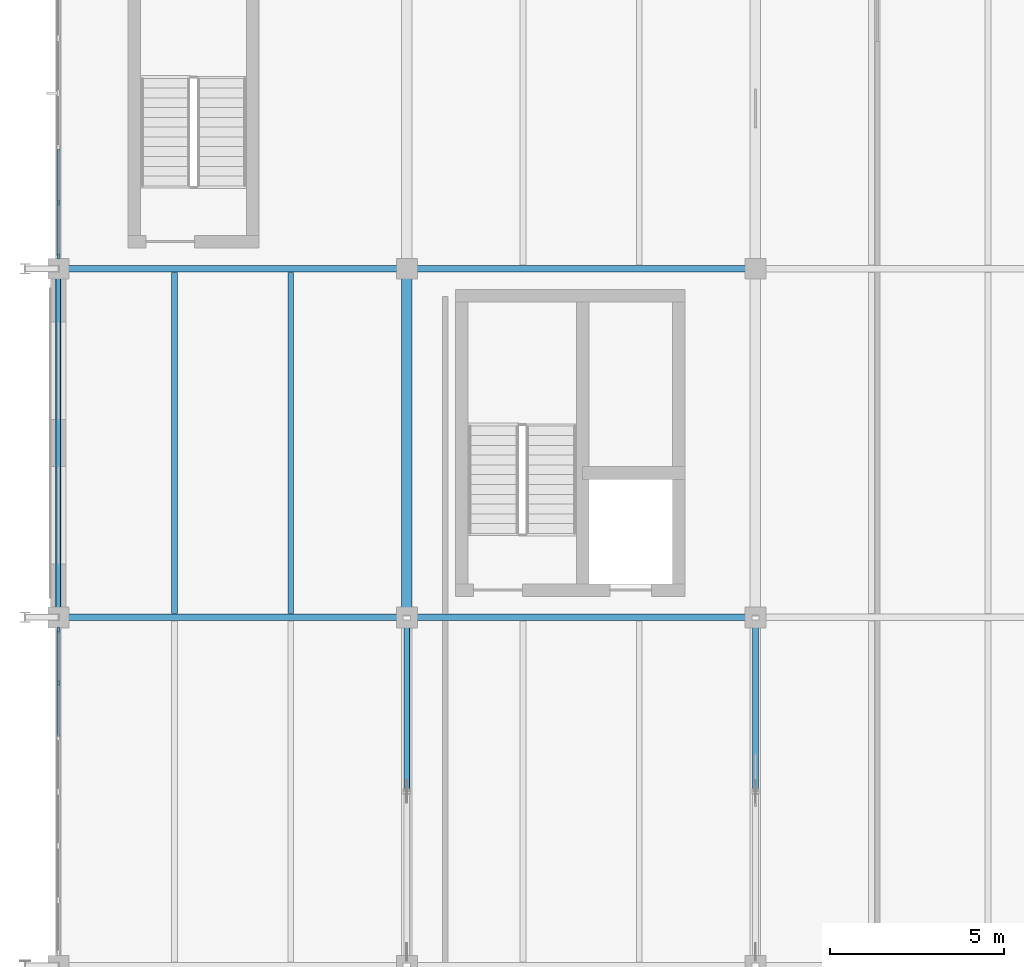
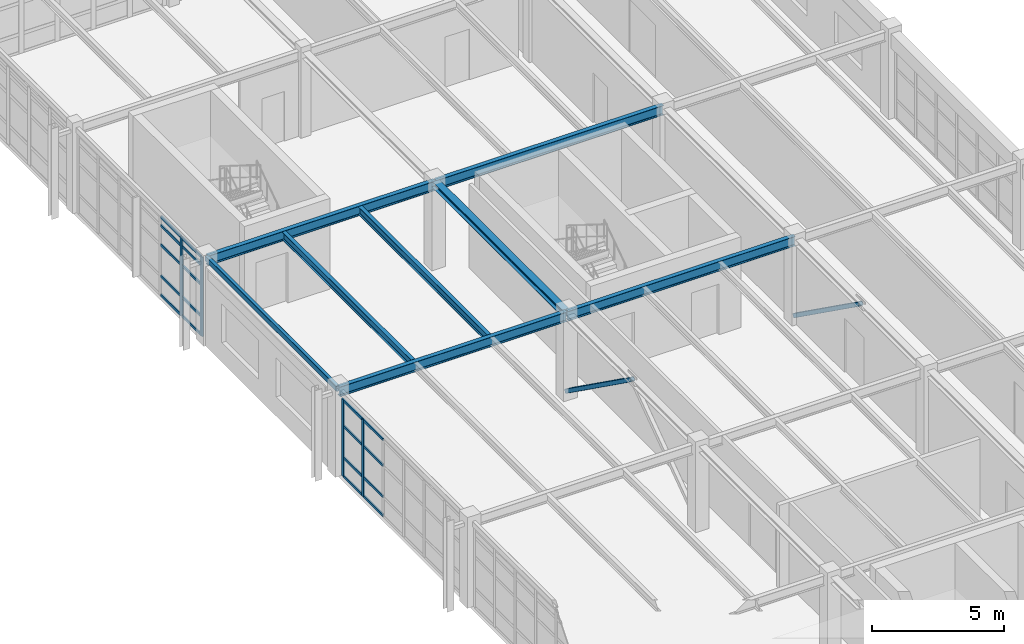
# One storey, part 31 of 122: 24 members, 8 beams, 2 elements without a shape of their own.
"""IFC4 building model written with IfcOpenShell, lengths in metres."""

from ifc_helpers import new_model, si_unit, direction, frame, origin, origin_2d, place, context, subcontext, project, spatial, rectangle, hollow_rectangle, i_section, extrude, material, layer, layer_set, material_profile, profile_set, type_object, element, aggregate, save


model = new_model("IFC4")

# Units and contexts
model_context = context("Model", 3, precision=1e-05, world=origin(), true_north=direction((0.0, 1.0)))
body_context = subcontext(model_context, "Body", "Model", "MODEL_VIEW")
ifc_project = project(units=[si_unit("LENGTHUNIT", "METRE"), si_unit("AREAUNIT", "SQUARE_METRE"), si_unit("VOLUMEUNIT", "CUBIC_METRE"), si_unit("PLANEANGLEUNIT", "RADIAN"), si_unit("MASSUNIT", "GRAM", prefix="KILO"), si_unit("THERMODYNAMICTEMPERATUREUNIT", "KELVIN"), si_unit("POWERUNIT", "WATT")], contexts=[model_context])

# Site, building, storey
site_placement = place(None, origin())
site = spatial("IfcSite", under=ifc_project, at=site_placement, CompositionType="ELEMENT")
building_placement = place(site_placement, origin())
building = spatial("IfcBuilding", under=site, at=building_placement, Name="Korenveer Ferry Terminal", CompositionType="ELEMENT")
storey_placement = place(building_placement, frame((0.0, 0.0, 10.199951171875)))
storey = spatial("IfcBuildingStorey", under=building, at=storey_placement, Name="L02", CompositionType="ELEMENT", Elevation=10.199951171875)

# Curtain wall, members
ifc_material_1 = material(Name="Unitised bronze-and-glass curtain wall", Category="glass")
ifc_layer_1 = layer(ifc_material_1, 0.159912109375)
ifc_layer_set_1 = layer_set([ifc_layer_1], Name="Unitised bronze-and-glass curtain wall")
curtain_wall_type_1 = type_object("IfcCurtainWallType", Name="ENV-CW-105", PredefinedType="USERDEFINED", material=ifc_layer_set_1)
curtain_wall_1_placement = place(storey_placement, frame((0.0, 40.330078125, 0.0)))
curtain_wall_1 = element("IfcCurtainWall", 1, at=curtain_wall_1_placement, inside=storey, type_object=curtain_wall_type_1, Name="Lancet curtain wall CWX-L02-X0-0-Y40-50", ObjectType="UNITISED CURTAIN WALL", PredefinedType="USERDEFINED")
ifc_material_2 = material(Name="Anodised bronze aluminium", Category="aluminium")
ifc_material_profile_1 = material_profile(ifc_material_2, rectangle(XDim=0.06005859375, YDim=0.159912109375, at=origin_2d()), Name="ALU 60x160")
ifc_profile_set_1 = profile_set([ifc_material_profile_1], Name="Anodised bronze aluminium")
member_type_1 = type_object("IfcMemberType", Name="ENV-CWM-60X160", PredefinedType="MULLION", material=ifc_profile_set_1)
member_1_placement = place(storey_placement, frame((0.0, 48.11328125, 0.0), z_axis=(0.0, 0.0, 1.0), x_axis=(-1.0, 0.0, 0.0)))
member_1 = element("IfcMember", 2, at=member_1_placement, type_object=member_type_1, Name="CW-105 mullion 6", PredefinedType="MULLION", context=body_context, shape_type="SweptSolid", body=[
    extrude(rectangle(XDim=0.06005859375, YDim=0.159912109375, at=origin_2d()), origin(), (0.0, 0.0, 1.0), 3.570068359375),
])
member_2_placement = place(storey_placement, frame((0.0, 49.639892578125, 0.0), z_axis=(0.0, 0.0, 1.0), x_axis=(-1.0, 0.0, 0.0)))
member_2 = element("IfcMember", 3, at=member_2_placement, type_object=member_type_1, Name="CW-105 mullion 7", PredefinedType="MULLION", context=body_context, shape_type="SweptSolid", body=[
    extrude(rectangle(XDim=0.06005859375, YDim=0.159912109375, at=origin_2d()), origin(), (0.0, 0.0, 1.0), 3.570068359375),
])

ifc_layer_2 = layer(ifc_material_1, 0.159912109375)
ifc_layer_set_2 = layer_set([ifc_layer_2], Name="Unitised bronze-and-glass curtain wall")
curtain_wall_type_2 = type_object("IfcCurtainWallType", Name="ENV-CW-106", PredefinedType="USERDEFINED", material=ifc_layer_set_2)
curtain_wall_2_placement = place(storey_placement, frame((0.0, 60.330078125, 0.0)))
curtain_wall_2 = element("IfcCurtainWall", 4, at=curtain_wall_2_placement, inside=storey, type_object=curtain_wall_type_2, Name="Lancet curtain wall CWX-L02-X0-0-Y60-70", ObjectType="UNITISED CURTAIN WALL", PredefinedType="USERDEFINED")
member_3_placement = place(storey_placement, frame((0.0, 60.360107421875, 0.0), z_axis=(0.0, 0.0, 1.0), x_axis=(-1.0, 0.0, 0.0)))
member_3 = element("IfcMember", 5, at=member_3_placement, type_object=member_type_1, Name="CW-106 mullion 1", PredefinedType="MULLION", context=body_context, shape_type="SweptSolid", body=[
    extrude(rectangle(XDim=0.06005859375, YDim=0.159912109375, at=origin_2d()), origin(), (0.0, 0.0, 1.0), 3.670166015625),
])
member_4_placement = place(storey_placement, frame((0.0, 61.899169921875, 0.0), z_axis=(0.0, 0.0, 1.0), x_axis=(-1.0, 0.0, 0.0)))
member_4 = element("IfcMember", 6, at=member_4_placement, type_object=member_type_1, Name="CW-106 mullion 2", PredefinedType="MULLION", context=body_context, shape_type="SweptSolid", body=[
    extrude(rectangle(XDim=0.06005859375, YDim=0.159912109375, at=origin_2d()), origin(), (0.0, 0.0, 1.0), 3.670166015625),
])

# Member
ifc_material_profile_2 = material_profile(ifc_material_2, rectangle(XDim=0.06005859375, YDim=0.1201171875, at=origin_2d()), Name="ALU 60x120")
ifc_profile_set_2 = profile_set([ifc_material_profile_2], Name="Anodised bronze aluminium")
member_type_2 = type_object("IfcMemberType", Name="ENV-CWT-60X120", PredefinedType="USERDEFINED", material=ifc_profile_set_2)
member_5_placement = place(storey_placement, frame((0.0, 46.586669921875, 0.030029296875), z_axis=(0.0, 1.0, 0.0), x_axis=(-1.0, 0.0, 0.0)))
member_5 = element("IfcMember", 7, at=member_5_placement, type_object=member_type_2, Name="CW-105 transom 5.1", ObjectType="TRANSOM", PredefinedType="USERDEFINED", context=body_context, shape_type="SweptSolid", body=[
    extrude(rectangle(XDim=0.06005859375, YDim=0.1201171875, at=origin_2d()), origin(), (0.0, 0.0, 1.0), 1.49658203125),
])

member_6_placement = place(storey_placement, frame((0.0, 46.586669921875, 0.900146484375), z_axis=(0.0, 1.0, 0.0), x_axis=(-1.0, 0.0, 0.0)))
member_6 = element("IfcMember", 8, at=member_6_placement, type_object=member_type_2, Name="CW-105 transom 5.2", ObjectType="TRANSOM", PredefinedType="USERDEFINED", context=body_context, shape_type="SweptSolid", body=[
    extrude(rectangle(XDim=0.06005859375, YDim=0.1201171875, at=origin_2d()), origin(), (0.0, 0.0, 1.0), 1.49658203125),
])

member_7_placement = place(storey_placement, frame((0.0, 46.586669921875, 2.35009765625), z_axis=(0.0, 1.0, 0.0), x_axis=(-1.0, 0.0, 0.0)))
member_7 = element("IfcMember", 9, at=member_7_placement, type_object=member_type_2, Name="CW-105 transom 5.3", ObjectType="TRANSOM", PredefinedType="USERDEFINED", context=body_context, shape_type="SweptSolid", body=[
    extrude(rectangle(XDim=0.06005859375, YDim=0.1201171875, at=origin_2d()), origin(), (0.0, 0.0, 1.0), 1.49658203125),
])

member_8_placement = place(storey_placement, frame((0.0, 46.586669921875, 3.5400390625), z_axis=(0.0, 1.0, 0.0), x_axis=(-1.0, 0.0, 0.0)))
member_8 = element("IfcMember", 10, at=member_8_placement, type_object=member_type_2, Name="CW-105 transom 5.4", ObjectType="TRANSOM", PredefinedType="USERDEFINED", context=body_context, shape_type="SweptSolid", body=[
    extrude(rectangle(XDim=0.06005859375, YDim=0.1201171875, at=origin_2d()), origin(), (0.0, 0.0, 1.0), 1.49658203125),
])

member_9_placement = place(storey_placement, frame((0.0, 48.143310546875, 0.030029296875), z_axis=(0.0, 1.0, 0.0), x_axis=(-1.0, 0.0, 0.0)))
member_9 = element("IfcMember", 11, at=member_9_placement, type_object=member_type_2, Name="CW-105 transom 6.1", ObjectType="TRANSOM", PredefinedType="USERDEFINED", context=body_context, shape_type="SweptSolid", body=[
    extrude(rectangle(XDim=0.06005859375, YDim=0.1201171875, at=origin_2d()), origin(), (0.0, 0.0, 1.0), 1.466796875),
])

member_10_placement = place(storey_placement, frame((0.0, 48.143310546875, 0.900146484375), z_axis=(0.0, 1.0, 0.0), x_axis=(-1.0, 0.0, 0.0)))
member_10 = element("IfcMember", 12, at=member_10_placement, type_object=member_type_2, Name="CW-105 transom 6.2", ObjectType="TRANSOM", PredefinedType="USERDEFINED", context=body_context, shape_type="SweptSolid", body=[
    extrude(rectangle(XDim=0.06005859375, YDim=0.1201171875, at=origin_2d()), origin(), (0.0, 0.0, 1.0), 1.466796875),
])

member_11_placement = place(storey_placement, frame((0.0, 48.143310546875, 2.35009765625), z_axis=(0.0, 1.0, 0.0), x_axis=(-1.0, 0.0, 0.0)))
member_11 = element("IfcMember", 13, at=member_11_placement, type_object=member_type_2, Name="CW-105 transom 6.3", ObjectType="TRANSOM", PredefinedType="USERDEFINED", context=body_context, shape_type="SweptSolid", body=[
    extrude(rectangle(XDim=0.06005859375, YDim=0.1201171875, at=origin_2d()), origin(), (0.0, 0.0, 1.0), 1.466796875),
])

member_12_placement = place(storey_placement, frame((0.0, 48.143310546875, 3.5400390625), z_axis=(0.0, 1.0, 0.0), x_axis=(-1.0, 0.0, 0.0)))
member_12 = element("IfcMember", 14, at=member_12_placement, type_object=member_type_2, Name="CW-105 transom 6.4", ObjectType="TRANSOM", PredefinedType="USERDEFINED", context=body_context, shape_type="SweptSolid", body=[
    extrude(rectangle(XDim=0.06005859375, YDim=0.1201171875, at=origin_2d()), origin(), (0.0, 0.0, 1.0), 1.466796875),
])

aggregate(curtain_wall_1, [member_1, member_2, member_5, member_6, member_7, member_8, member_9, member_10, member_11, member_12])

member_13_placement = place(storey_placement, frame((0.0, 60.389892578125, 0.030029296875), z_axis=(0.0, 1.0, 0.0), x_axis=(-1.0, 0.0, 0.0)))
member_13 = element("IfcMember", 15, at=member_13_placement, type_object=member_type_2, Name="CW-106 transom 1.1", ObjectType="TRANSOM", PredefinedType="USERDEFINED", context=body_context, shape_type="SweptSolid", body=[
    extrude(rectangle(XDim=0.06005859375, YDim=0.1201171875, at=origin_2d()), origin(), (0.0, 0.0, 1.0), 1.479248046875),
])

member_14_placement = place(storey_placement, frame((0.0, 60.389892578125, 0.900146484375), z_axis=(0.0, 1.0, 0.0), x_axis=(-1.0, 0.0, 0.0)))
member_14 = element("IfcMember", 16, at=member_14_placement, type_object=member_type_2, Name="CW-106 transom 1.2", ObjectType="TRANSOM", PredefinedType="USERDEFINED", context=body_context, shape_type="SweptSolid", body=[
    extrude(rectangle(XDim=0.06005859375, YDim=0.1201171875, at=origin_2d()), origin(), (0.0, 0.0, 1.0), 1.479248046875),
])

member_15_placement = place(storey_placement, frame((0.0, 60.389892578125, 2.35009765625), z_axis=(0.0, 1.0, 0.0), x_axis=(-1.0, 0.0, 0.0)))
member_15 = element("IfcMember", 17, at=member_15_placement, type_object=member_type_2, Name="CW-106 transom 1.3", ObjectType="TRANSOM", PredefinedType="USERDEFINED", context=body_context, shape_type="SweptSolid", body=[
    extrude(rectangle(XDim=0.06005859375, YDim=0.1201171875, at=origin_2d()), origin(), (0.0, 0.0, 1.0), 1.479248046875),
])

member_16_placement = place(storey_placement, frame((0.0, 60.389892578125, 3.25), z_axis=(0.0, 1.0, 0.0), x_axis=(-1.0, 0.0, 0.0)))
member_16 = element("IfcMember", 18, at=member_16_placement, type_object=member_type_2, Name="CW-106 transom 1.4", ObjectType="TRANSOM", PredefinedType="USERDEFINED", context=body_context, shape_type="SweptSolid", body=[
    extrude(rectangle(XDim=0.06005859375, YDim=0.1201171875, at=origin_2d()), origin(), (0.0, 0.0, 1.0), 1.479248046875),
])

member_17_placement = place(storey_placement, frame((0.0, 60.389892578125, 3.64013671875), z_axis=(0.0, 1.0, 0.0), x_axis=(-1.0, 0.0, 0.0)))
member_17 = element("IfcMember", 19, at=member_17_placement, type_object=member_type_2, Name="CW-106 transom 1.5", ObjectType="TRANSOM", PredefinedType="USERDEFINED", context=body_context, shape_type="SweptSolid", body=[
    extrude(rectangle(XDim=0.06005859375, YDim=0.1201171875, at=origin_2d()), origin(), (0.0, 0.0, 1.0), 1.479248046875),
])

member_18_placement = place(storey_placement, frame((0.0, 61.92919921875, 0.030029296875), z_axis=(0.0, 1.0, 0.0), x_axis=(-1.0, 0.0, 0.0)))
member_18 = element("IfcMember", 20, at=member_18_placement, type_object=member_type_2, Name="CW-106 transom 2.1", ObjectType="TRANSOM", PredefinedType="USERDEFINED", context=body_context, shape_type="SweptSolid", body=[
    extrude(rectangle(XDim=0.06005859375, YDim=0.1201171875, at=origin_2d()), origin(), (0.0, 0.0, 1.0), 1.509033203125),
])

member_19_placement = place(storey_placement, frame((0.0, 61.92919921875, 0.900146484375), z_axis=(0.0, 1.0, 0.0), x_axis=(-1.0, 0.0, 0.0)))
member_19 = element("IfcMember", 21, at=member_19_placement, type_object=member_type_2, Name="CW-106 transom 2.2", ObjectType="TRANSOM", PredefinedType="USERDEFINED", context=body_context, shape_type="SweptSolid", body=[
    extrude(rectangle(XDim=0.06005859375, YDim=0.1201171875, at=origin_2d()), origin(), (0.0, 0.0, 1.0), 1.509033203125),
])

member_20_placement = place(storey_placement, frame((0.0, 61.92919921875, 2.35009765625), z_axis=(0.0, 1.0, 0.0), x_axis=(-1.0, 0.0, 0.0)))
member_20 = element("IfcMember", 22, at=member_20_placement, type_object=member_type_2, Name="CW-106 transom 2.3", ObjectType="TRANSOM", PredefinedType="USERDEFINED", context=body_context, shape_type="SweptSolid", body=[
    extrude(rectangle(XDim=0.06005859375, YDim=0.1201171875, at=origin_2d()), origin(), (0.0, 0.0, 1.0), 1.509033203125),
])

member_21_placement = place(storey_placement, frame((0.0, 61.92919921875, 3.25), z_axis=(0.0, 1.0, 0.0), x_axis=(-1.0, 0.0, 0.0)))
member_21 = element("IfcMember", 23, at=member_21_placement, type_object=member_type_2, Name="CW-106 transom 2.4", ObjectType="TRANSOM", PredefinedType="USERDEFINED", context=body_context, shape_type="SweptSolid", body=[
    extrude(rectangle(XDim=0.06005859375, YDim=0.1201171875, at=origin_2d()), origin(), (0.0, 0.0, 1.0), 1.509033203125),
])

member_22_placement = place(storey_placement, frame((0.0, 61.92919921875, 3.64013671875), z_axis=(0.0, 1.0, 0.0), x_axis=(-1.0, 0.0, 0.0)))
member_22 = element("IfcMember", 24, at=member_22_placement, type_object=member_type_2, Name="CW-106 transom 2.5", ObjectType="TRANSOM", PredefinedType="USERDEFINED", context=body_context, shape_type="SweptSolid", body=[
    extrude(rectangle(XDim=0.06005859375, YDim=0.1201171875, at=origin_2d()), origin(), (0.0, 0.0, 1.0), 1.509033203125),
])

aggregate(curtain_wall_2, [member_3, member_4, member_13, member_14, member_15, member_16, member_17, member_18, member_19, member_20, member_21, member_22])

# Beams
ifc_material_3 = material(Name="Steel S355", Category="steel")
ifc_material_profile_3 = material_profile(ifc_material_3, i_section(OverallWidth=0.300048828125, OverallDepth=0.2900390625, WebThickness=0.008544921875, FlangeThickness=0.013916015625, FilletRadius=0.027099609375, at=origin_2d()), Name="HEA 300")
ifc_profile_set_3 = profile_set([ifc_material_profile_3], Name="Steel S355")
beam_type_1 = type_object("IfcBeamType", Name="STR-BM-HEA300", PredefinedType="BEAM", material=ifc_profile_set_3)
beam_1_placement = place(storey_placement, frame((10.0, 50.02001953125, 3.804931640625), z_axis=(0.0, 1.0, 0.0), x_axis=(-1.0, 0.0, 0.0)))
element("IfcBeam", 25, at=beam_1_placement, inside=storey, type_object=beam_type_1, Name="Primary Y girder BMY-L03-X10-Y50-60", PredefinedType="BEAM", context=body_context, shape_type="SweptSolid", body=[
    extrude(i_section(OverallWidth=0.300048828125, OverallDepth=0.2900390625, WebThickness=0.008544921875, FlangeThickness=0.013916015625, FilletRadius=0.027099609375, at=origin_2d()), origin(), (0.0, 0.0, 1.0), 9.9599609375),
])
ifc_material_profile_4 = material_profile(ifc_material_3, i_section(OverallWidth=0.18994140625, OverallDepth=0.449951171875, WebThickness=0.009521484375, FlangeThickness=0.0146484375, FilletRadius=0.02099609375, at=origin_2d()), Name="IPE 450")
ifc_profile_set_4 = profile_set([ifc_material_profile_4], Name="Steel S355")
beam_type_2 = type_object("IfcBeamType", Name="STR-BM-IPE450", PredefinedType="BEAM", material=ifc_profile_set_4)
for number, where, z_axis, x_axis, name in (
    (26, (0.02001953125, 50.0, 3.72509765625), (1.0, 0.0, 0.0), (0.0, 1.0, 0.0), "Primary X girder BMX-L03-X0-10-Y50"),
    (27, (10.02001953125, 50.0, 3.72509765625), (1.0, 0.0, 0.0), (0.0, 1.0, 0.0), "Primary X girder BMX-L03-X10-20-Y50"),
    (28, (0.02001953125, 60.0, 3.72509765625), (1.0, 0.0, 0.0), (0.0, 1.0, 0.0), "Primary X girder BMX-L03-X0-10-Y60"),
    (29, (10.02001953125, 60.0, 3.72509765625), (1.0, 0.0, 0.0), (0.0, 1.0, 0.0), "Primary X girder BMX-L03-X10-20-Y60"),
):
    element("IfcBeam", number, at=place(storey_placement, frame(where, z_axis=z_axis, x_axis=x_axis)), inside=storey, type_object=beam_type_2, Name=name, PredefinedType="BEAM", context=body_context, shape_type="SweptSolid", body=[
        extrude(i_section(OverallWidth=0.18994140625, OverallDepth=0.449951171875, WebThickness=0.009521484375, FlangeThickness=0.0146484375, FilletRadius=0.02099609375, at=origin_2d()), origin(), (0.0, 0.0, 1.0), 9.9599609375),
    ])

# Members
ifc_material_profile_5 = material_profile(ifc_material_3, hollow_rectangle(XDim=0.179931640625, YDim=0.179931640625, WallThickness=0.010009765625, InnerFilletRadius=0.010009765625, OuterFilletRadius=0.014892578125, at=origin_2d()), Name="SHS 180x180x10")
ifc_profile_set_5 = profile_set([ifc_material_profile_5], Name="Steel S355")
member_type_3 = type_object("IfcMemberType", Name="STR-BRC-SHS180", PredefinedType="BRACE", material=ifc_profile_set_5)
for number, where, z_axis, x_axis, name in (
    (30, (10.0, 45.0, 3.800048828125), (0.0, 0.813507053868, -0.581555047529), (-1.0, 0.0, 0.0), "Lateral stability chevron brace BRCVF-L02-X10-450"),
    (31, (20.0, 45.0, 3.800048828125), (0.0, 0.813507053868, -0.581555047529), (-1.0, 0.0, 0.0), "Lateral stability chevron brace BRCVF-L02-X20-450"),
):
    element("IfcMember", number, at=place(storey_placement, frame(where, z_axis=z_axis, x_axis=x_axis)), inside=storey, type_object=member_type_3, Name=name, PredefinedType="BRACE", context=body_context, shape_type="SweptSolid", body=[
        extrude(hollow_rectangle(XDim=0.179931640625, YDim=0.179931640625, WallThickness=0.010009765625, InnerFilletRadius=0.010009765625, OuterFilletRadius=0.014892578125, at=origin_2d()), origin(), (0.0, 0.0, 1.0), 6.12158203125),
    ])

# Beams
ifc_material_profile_6 = material_profile(ifc_material_3, i_section(OverallWidth=0.169921875, OverallDepth=0.360107421875, WebThickness=0.008056640625, FlangeThickness=0.0126953125, FilletRadius=0.01806640625, at=origin_2d()), Name="IPE 360")
ifc_profile_set_6 = profile_set([ifc_material_profile_6], Name="Steel S355")
beam_type_3 = type_object("IfcBeamType", Name="STR-JST-IPE360", PredefinedType="JOIST", material=ifc_profile_set_6)
for number, where, z_axis, x_axis, name in (
    (32, (3.333251953125, 50.10498046875, 3.77001953125), (0.0, 1.0, 0.0), (-1.0, 0.0, 0.0), "Secondary composite joist JST-L03-X33-Y50-60"),
    (33, (6.666748046875, 50.10498046875, 3.77001953125), (0.0, 1.0, 0.0), (-1.0, 0.0, 0.0), "Secondary composite joist JST-L03-X67-Y50-60"),
):
    element("IfcBeam", number, at=place(storey_placement, frame(where, z_axis=z_axis, x_axis=x_axis)), inside=storey, type_object=beam_type_3, Name=name, PredefinedType="JOIST", context=body_context, shape_type="SweptSolid", body=[
        extrude(i_section(OverallWidth=0.169921875, OverallDepth=0.360107421875, WebThickness=0.008056640625, FlangeThickness=0.0126953125, FilletRadius=0.01806640625, at=origin_2d()), origin(), (0.0, 0.0, 1.0), 9.7900390625),
    ])
ifc_material_profile_7 = material_profile(ifc_material_3, hollow_rectangle(XDim=0.14990234375, YDim=0.25, WallThickness=0.010009765625, InnerFilletRadius=0.010009765625, OuterFilletRadius=0.014892578125, at=origin_2d()), Name="RHS 250x150x10")
ifc_profile_set_7 = profile_set([ifc_material_profile_7], Name="Steel S355")
beam_type_4 = type_object("IfcBeamType", Name="STR-SPD-RHS250", PredefinedType="SPANDREL", material=ifc_profile_set_7)
beam_2_placement = place(storey_placement, frame((0.0, 50.02001953125, 3.824951171875), z_axis=(0.0, 1.0, 0.0), x_axis=(-1.0, 0.0, 0.0)))
element("IfcBeam", 34, at=beam_2_placement, inside=storey, type_object=beam_type_4, Name="Primary Y girder BMY-L03-X0-Y50-60", PredefinedType="SPANDREL", context=body_context, shape_type="SweptSolid", body=[
    extrude(hollow_rectangle(XDim=0.14990234375, YDim=0.25, WallThickness=0.010009765625, InnerFilletRadius=0.010009765625, OuterFilletRadius=0.014892578125, at=origin_2d()), origin(), (0.0, 0.0, 1.0), 9.9599609375),
])

save(model, "model.ifc")
